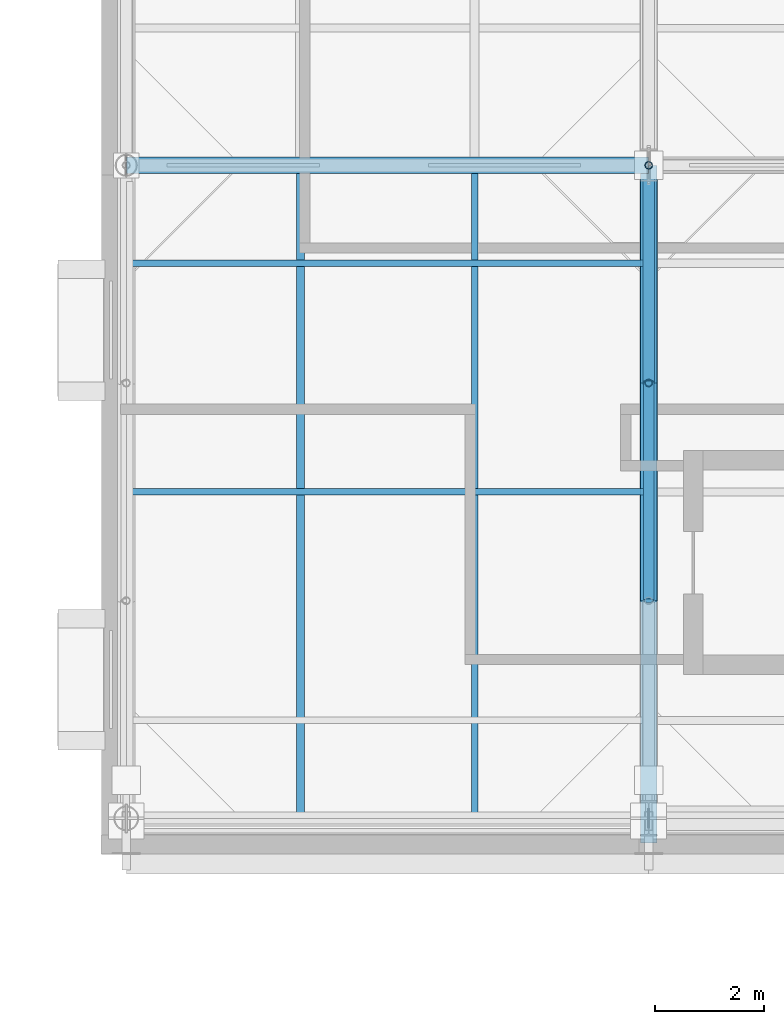
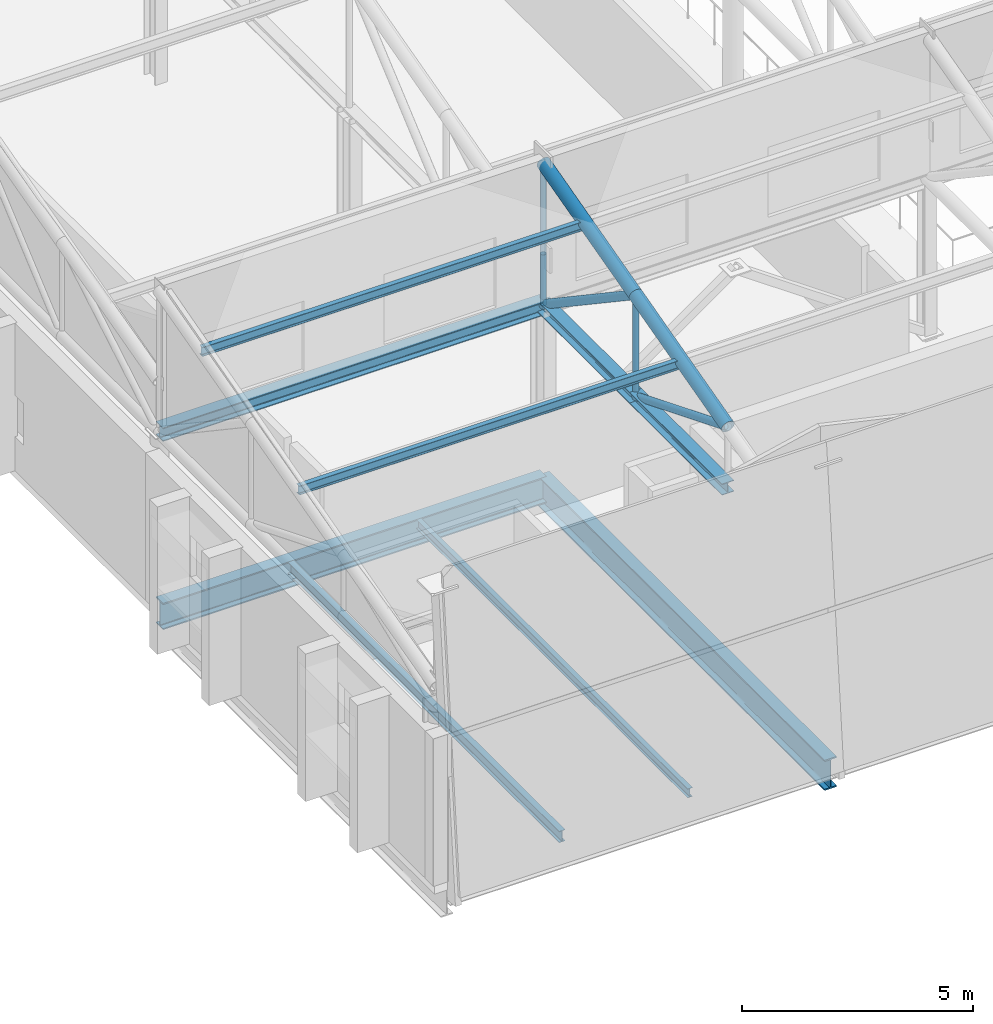
# One storey, part 17 of 89: 11 members, 5 beams.
"""IFC4 building model written with IfcOpenShell, lengths in metres."""

from ifc_helpers import new_model, si_unit, direction, frame, origin, origin_2d, place, context, subcontext, project, spatial, hollow_circle, i_section, extrude, material, material_profile, profile_set, type_object, element, save


model = new_model("IFC4")

# Units and contexts
model_context = context("Model", 3, precision=1e-05, world=origin(), true_north=direction((0.0, 1.0)))
body_context = subcontext(model_context, "Body", "Model", "MODEL_VIEW")
ifc_project = project(units=[si_unit("LENGTHUNIT", "METRE"), si_unit("AREAUNIT", "SQUARE_METRE"), si_unit("VOLUMEUNIT", "CUBIC_METRE"), si_unit("PLANEANGLEUNIT", "RADIAN"), si_unit("MASSUNIT", "GRAM", prefix="KILO")], contexts=[model_context])

# Site, building, storey
site_placement = place(None, origin())
site = spatial("IfcSite", under=ifc_project, at=site_placement, CompositionType="ELEMENT")
building_placement = place(site_placement, origin())
building = spatial("IfcBuilding", under=site, at=building_placement, Name="Zereglee Splitstone Museum", CompositionType="ELEMENT")
storey_placement = place(building_placement, frame((0.0, 0.0, 21.300048828125)))
storey = spatial("IfcBuildingStorey", under=building, at=storey_placement, Name="L04", CompositionType="ELEMENT", Elevation=21.300048828125)

# Members
ifc_material_1 = material(Name="Steel S355J2H", Category="steel")
ifc_material_profile_1 = material_profile(ifc_material_1, hollow_circle(Radius=0.096923828125, WallThickness=0.010009765625, at=origin_2d()), Name="CHS 193.7x10")
ifc_profile_set_1 = profile_set([ifc_material_profile_1], Name="Steel S355J2H")
member_type_1 = type_object("IfcMemberType", Name="TB-04", PredefinedType="BRACE", material=ifc_profile_set_1)
member_1_placement = place(storey_placement, frame((87.60009765625, 17.60009765625, 4.199951171875), z_axis=(0.0, -0.927136001435, 0.374725012299), x_axis=(1.0, 0.0, 0.0)))
element("IfcMember", 1, at=member_1_placement, inside=storey, type_object=member_type_1, Name="Roof Truss ST-02 Diagonal 1.2", PredefinedType="BRACE", context=body_context, shape_type="SweptSolid", body=[
    extrude(hollow_circle(Radius=0.096923828125, WallThickness=0.010009765625, at=origin_2d()), origin(), (0.0, 0.0, 1.0), 4.314453125),
])
ifc_material_profile_2 = material_profile(ifc_material_1, hollow_circle(Radius=0.109619140625, WallThickness=0.010009765625, at=origin_2d()), Name="CHS 219.1x10")
ifc_profile_set_2 = profile_set([ifc_material_profile_2], Name="Steel S355J2H")
member_type_2 = type_object("IfcMemberType", Name="TB-03", PredefinedType="BRACE", material=ifc_profile_set_2)
member_2_placement = place(storey_placement, frame((87.60009765625, 21.60009765625, 4.199951171875), z_axis=(0.0, -0.830448263685, 0.557095755991), x_axis=(1.0, 0.0, 0.0)))
element("IfcMember", 2, at=member_2_placement, inside=storey, type_object=member_type_2, Name="Roof Truss ST-02 Diagonal 1.3", PredefinedType="BRACE", context=body_context, shape_type="SweptSolid", body=[
    extrude(hollow_circle(Radius=0.109619140625, WallThickness=0.010009765625, at=origin_2d()), origin(), (0.0, 0.0, 1.0), 4.816650390625),
])
ifc_material_profile_3 = material_profile(ifc_material_1, hollow_circle(Radius=0.161865234375, WallThickness=0.01611328125, at=origin_2d()), Name="CHS 323.9x16")
ifc_profile_set_3 = profile_set([ifc_material_profile_3], Name="Steel S355J2H")
member_type_3 = type_object("IfcMemberType", Name="TC-05", PredefinedType="CHORD", material=ifc_profile_set_3)
for number, where, z_axis, x_axis, name in (
    (3, (87.60009765625, 13.60009765625, 5.816650390625), (0.0, 0.966235918422, 0.257658979955), (-1.0, 0.0, 0.0), "Roof Truss ST-02 Top Chord 1.2"),
    (4, (87.60009765625, 17.60009765625, 6.88330078125), (0.0, 0.966235918422, 0.257658979955), (-1.0, 0.0, 0.0), "Roof Truss ST-02 Top Chord 1.3"),
):
    element("IfcMember", number, at=place(storey_placement, frame(where, z_axis=z_axis, x_axis=x_axis)), inside=storey, type_object=member_type_3, Name=name, PredefinedType="CHORD", context=body_context, shape_type="SweptSolid", body=[
        extrude(hollow_circle(Radius=0.161865234375, WallThickness=0.01611328125, at=origin_2d()), origin(), (0.0, 0.0, 1.0), 4.139892578125),
    ])
ifc_material_2 = material(Name="Steel S355J2", Category="steel")
ifc_material_profile_4 = material_profile(ifc_material_2, i_section(OverallWidth=0.300048828125, OverallDepth=0.300048828125, WebThickness=0.010986328125, FlangeThickness=0.01904296875, FilletRadius=0.027099609375, at=origin_2d()), Name="HE 300 B")
ifc_profile_set_4 = profile_set([ifc_material_profile_4], Name="Steel S355J2")
member_type_4 = type_object("IfcMemberType", Name="TC-07", PredefinedType="CHORD", material=ifc_profile_set_4)
for number, where, z_axis, x_axis, name in (
    (5, (87.60009765625, 13.60009765625, 4.199951171875), (0.0, 1.0, 0.0), (-1.0, 0.0, 0.0), "Roof Truss ST-02 Bottom Chord 1.2"),
    (6, (87.60009765625, 17.60009765625, 4.199951171875), (0.0, 1.0, 0.0), (-1.0, 0.0, 0.0), "Roof Truss ST-02 Bottom Chord 1.3"),
):
    element("IfcMember", number, at=place(storey_placement, frame(where, z_axis=z_axis, x_axis=x_axis)), inside=storey, type_object=member_type_4, Name=name, PredefinedType="CHORD", context=body_context, shape_type="SweptSolid", body=[
        extrude(i_section(OverallWidth=0.300048828125, OverallDepth=0.300048828125, WebThickness=0.010986328125, FlangeThickness=0.01904296875, FilletRadius=0.027099609375, at=origin_2d()), origin(), (0.0, 0.0, 1.0), 4.0),
    ])

# Beams
ifc_material_profile_5 = material_profile(ifc_material_2, i_section(OverallWidth=0.300048828125, OverallDepth=0.360107421875, WebThickness=0.012451171875, FlangeThickness=0.0224609375, FilletRadius=0.027099609375, at=origin_2d()), Name="HE 360 B")
ifc_profile_set_5 = profile_set([ifc_material_profile_5], Name="Steel S355J2")
beam_type_1 = type_object("IfcBeamType", Name="BG-14", PredefinedType="BEAM", material=ifc_profile_set_5)
beam_1_placement = place(storey_placement, frame((78.0, 21.60009765625, 4.199951171875), z_axis=(1.0, 0.0, 0.0), x_axis=(0.0, 1.0, 0.0)))
element("IfcBeam", 7, at=beam_1_placement, inside=storey, type_object=beam_type_1, Name="Sawtooth Monitor Sill Beam B1-S1", PredefinedType="BEAM", context=body_context, shape_type="SweptSolid", body=[
    extrude(i_section(OverallWidth=0.300048828125, OverallDepth=0.360107421875, WebThickness=0.012451171875, FlangeThickness=0.0224609375, FilletRadius=0.027099609375, at=origin_2d()), origin(), (0.0, 0.0, 1.0), 9.60009765625),
])
ifc_material_profile_6 = material_profile(ifc_material_2, i_section(OverallWidth=0.300048828125, OverallDepth=0.699951171875, WebThickness=0.01708984375, FlangeThickness=0.031982421875, FilletRadius=0.027099609375, at=origin_2d()), Name="HE 700 B")
ifc_profile_set_6 = profile_set([ifc_material_profile_6], Name="Steel S355J2")
beam_type_2 = type_object("IfcBeamType", Name="BG-08", PredefinedType="BEAM", material=ifc_profile_set_6)
beam_2_placement = place(storey_placement, frame((78.0, 21.60009765625, -0.610107421875), z_axis=(1.0, 0.0, 0.0), x_axis=(0.0, 1.0, 0.0)))
element("IfcBeam", 8, at=beam_2_placement, inside=storey, type_object=beam_type_2, Name="Primary Girder L04 C (78.0-87.6)", PredefinedType="BEAM", context=body_context, shape_type="SweptSolid", body=[
    extrude(i_section(OverallWidth=0.300048828125, OverallDepth=0.699951171875, WebThickness=0.01708984375, FlangeThickness=0.031982421875, FilletRadius=0.027099609375, at=origin_2d()), origin(), (0.0, 0.0, 1.0), 9.60009765625),
])
ifc_material_profile_7 = material_profile(ifc_material_2, i_section(OverallWidth=0.300048828125, OverallDepth=0.800048828125, WebThickness=0.017578125, FlangeThickness=0.032958984375, FilletRadius=0.030029296875, at=origin_2d()), Name="HE 800 B")
ifc_profile_set_7 = profile_set([ifc_material_profile_7], Name="Steel S355J2")
beam_type_3 = type_object("IfcBeamType", Name="BG-07", PredefinedType="BEAM", material=ifc_profile_set_7)
beam_3_placement = place(storey_placement, frame((87.60009765625, 9.14990234375, -0.66015625), z_axis=(0.0, 1.0, 0.0), x_axis=(-1.0, 0.0, 0.0)))
element("IfcBeam", 9, at=beam_3_placement, inside=storey, type_object=beam_type_3, Name="Primary Girder L04 11 (9.2-21.6)", PredefinedType="BEAM", context=body_context, shape_type="SweptSolid", body=[
    extrude(i_section(OverallWidth=0.300048828125, OverallDepth=0.800048828125, WebThickness=0.017578125, FlangeThickness=0.032958984375, FilletRadius=0.030029296875, at=origin_2d()), origin(), (0.0, 0.0, 1.0), 12.4501953125),
])
ifc_material_profile_8 = material_profile(ifc_material_2, i_section(OverallWidth=0.1201171875, OverallDepth=0.239990234375, WebThickness=0.006103515625, FlangeThickness=0.009765625, FilletRadius=0.014892578125, at=origin_2d()), Name="IPE 240")
ifc_profile_set_8 = profile_set([ifc_material_profile_8], Name="Steel S355J2")
beam_type_4 = type_object("IfcBeamType", Name="BJ-07", PredefinedType="JOIST", material=ifc_profile_set_8)
beam_4_placement = place(storey_placement, frame((84.39990234375, 9.699951171875, -0.380126953125), z_axis=(0.0, 1.0, 0.0), x_axis=(-1.0, 0.0, 0.0)))
element("IfcBeam", 10, at=beam_4_placement, inside=storey, type_object=beam_type_4, Name="Secondary Floor Joist L04-1511", PredefinedType="JOIST", context=body_context, shape_type="SweptSolid", body=[
    extrude(i_section(OverallWidth=0.1201171875, OverallDepth=0.239990234375, WebThickness=0.006103515625, FlangeThickness=0.009765625, FilletRadius=0.014892578125, at=origin_2d()), origin(), (0.0, 0.0, 1.0), 11.75),
])
ifc_material_profile_9 = material_profile(ifc_material_2, i_section(OverallWidth=0.14990234375, OverallDepth=0.300048828125, WebThickness=0.007080078125, FlangeThickness=0.0107421875, FilletRadius=0.014892578125, at=origin_2d()), Name="IPE 300")
ifc_profile_set_9 = profile_set([ifc_material_profile_9], Name="Steel S355J2")
beam_type_5 = type_object("IfcBeamType", Name="BJ-06", PredefinedType="JOIST", material=ifc_profile_set_9)
beam_5_placement = place(storey_placement, frame((81.199951171875, 9.699951171875, -0.41015625), z_axis=(0.0, 1.0, 0.0), x_axis=(-1.0, 0.0, 0.0)))
element("IfcBeam", 11, at=beam_5_placement, inside=storey, type_object=beam_type_5, Name="Secondary Floor Joist L04-1510", PredefinedType="JOIST", context=body_context, shape_type="SweptSolid", body=[
    extrude(i_section(OverallWidth=0.14990234375, OverallDepth=0.300048828125, WebThickness=0.007080078125, FlangeThickness=0.0107421875, FilletRadius=0.014892578125, at=origin_2d()), origin(), (0.0, 0.0, 1.0), 11.75),
])

# Members
ifc_material_profile_10 = material_profile(ifc_material_1, hollow_circle(Radius=0.06982421875, WallThickness=0.008056640625, at=origin_2d()), Name="CHS 139.7x8")
ifc_profile_set_10 = profile_set([ifc_material_profile_10], Name="Steel S355J2H")
member_type_5 = type_object("IfcMemberType", Name="TP-03", PredefinedType="POST", material=ifc_profile_set_10)
member_3_placement = place(storey_placement, frame((87.60009765625, 17.60009765625, 4.199951171875), z_axis=(0.0, 0.0, 1.0), x_axis=(1.0, 0.0, 0.0)))
element("IfcMember", 12, at=member_3_placement, inside=storey, type_object=member_type_5, Name="Roof Truss ST-02 Post 1.2", PredefinedType="POST", context=body_context, shape_type="SweptSolid", body=[
    extrude(hollow_circle(Radius=0.06982421875, WallThickness=0.008056640625, at=origin_2d()), origin(), (0.0, 0.0, 1.0), 2.683349609375),
])
member_4_placement = place(storey_placement, frame((87.60009765625, 21.60009765625, 4.199951171875), z_axis=(0.0, 0.0, 1.0), x_axis=(1.0, 0.0, 0.0)))
element("IfcMember", 13, at=member_4_placement, inside=storey, type_object=member_type_5, Name="Roof Truss ST-02 Post 1.3", PredefinedType="POST", context=body_context, shape_type="SweptSolid", body=[
    extrude(hollow_circle(Radius=0.06982421875, WallThickness=0.008056640625, at=origin_2d()), origin(), (0.0, 0.0, 1.0), 3.75),
])
member_5_placement = place(storey_placement, frame((87.60009765625, 21.60009765625, 4.199951171875), z_axis=(0.0, 0.0, 1.0), x_axis=(1.0, 0.0, 0.0)))
element("IfcMember", 14, at=member_5_placement, inside=storey, type_object=member_type_5, Name="Roof Truss ST-02 Post 2.0", PredefinedType="POST", context=body_context, shape_type="SweptSolid", body=[
    extrude(hollow_circle(Radius=0.06982421875, WallThickness=0.008056640625, at=origin_2d()), origin(), (0.0, 0.0, 1.0), 1.35009765625),
])
ifc_material_profile_11 = material_profile(ifc_material_2, i_section(OverallWidth=0.1201171875, OverallDepth=0.239990234375, WebThickness=0.006103515625, FlangeThickness=0.009765625, FilletRadius=0.014892578125, at=origin_2d()), Name="IPE 240")
ifc_profile_set_11 = profile_set([ifc_material_profile_11], Name="Steel S355J2")
member_type_6 = type_object("IfcMemberType", Name="PR-03", PredefinedType="PURLIN", material=ifc_profile_set_11)
for number, where, z_axis, x_axis, name in (
    (15, (78.0, 15.60009765625, 6.30419921875), (1.0, 0.0, 0.0), (0.0, 1.0, 0.0), "Sawtooth Roof Purlin B1-S1-2"),
    (16, (78.0, 19.800048828125, 7.424072265625), (1.0, 0.0, 0.0), (0.0, 1.0, 0.0), "Sawtooth Roof Purlin B1-S1-3"),
):
    element("IfcMember", number, at=place(storey_placement, frame(where, z_axis=z_axis, x_axis=x_axis)), inside=storey, type_object=member_type_6, Name=name, PredefinedType="PURLIN", context=body_context, shape_type="SweptSolid", body=[
        extrude(i_section(OverallWidth=0.1201171875, OverallDepth=0.239990234375, WebThickness=0.006103515625, FlangeThickness=0.009765625, FilletRadius=0.014892578125, at=origin_2d()), origin(), (0.0, 0.0, 1.0), 9.60009765625),
    ])

save(model, "model.ifc")
